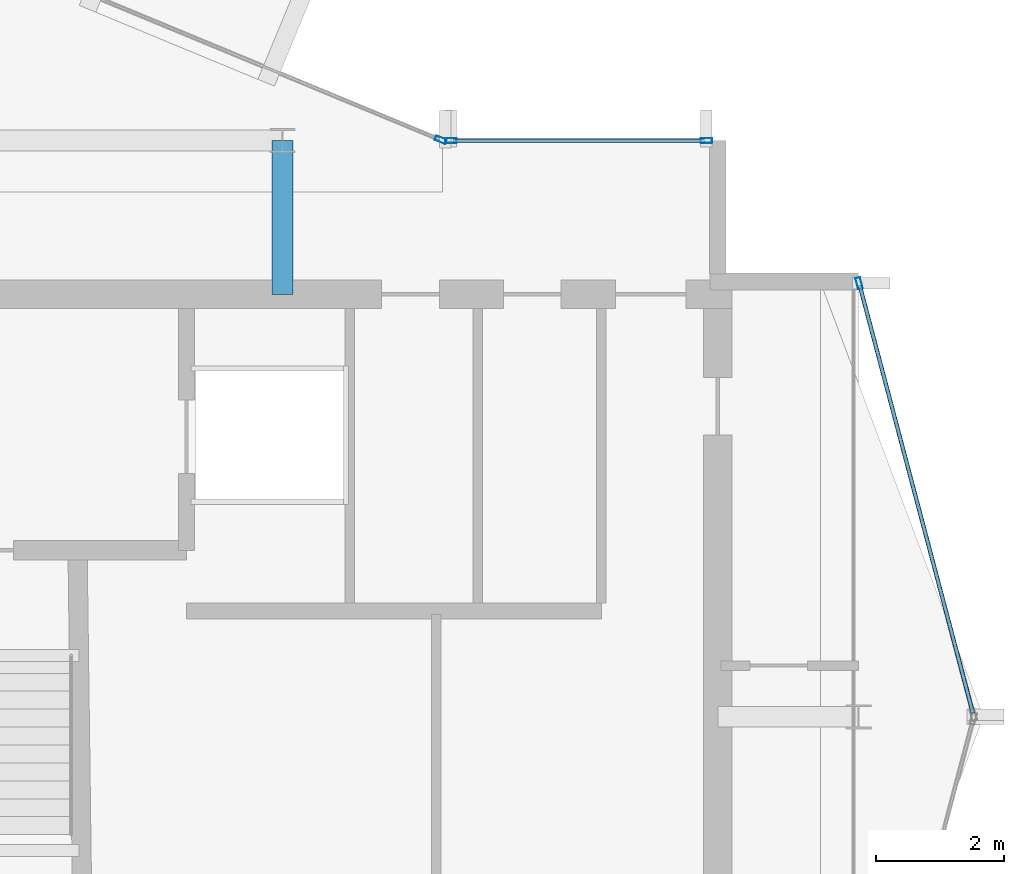
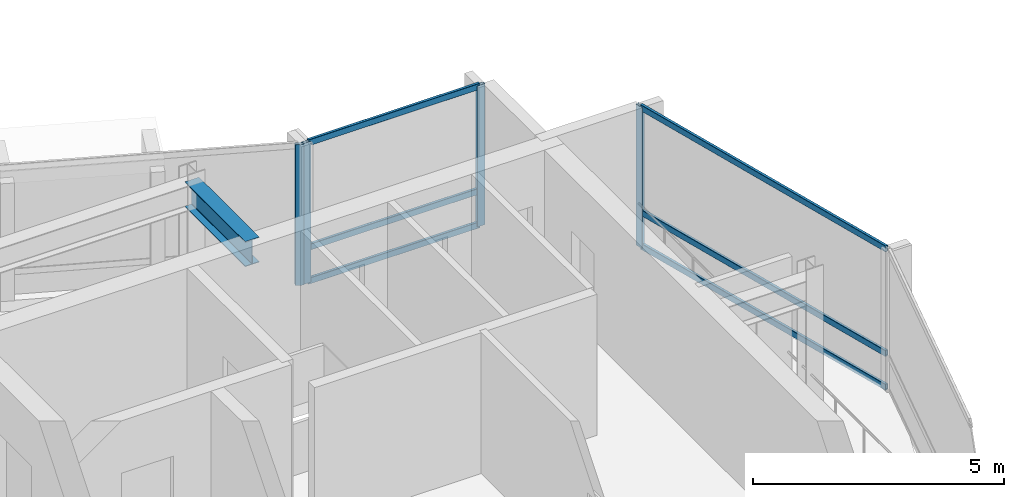
# One storey, part 10 of 19: 10 members, 1 beam, 3 elements without a shape of their own.
"""IFC4 building model written with IfcOpenShell, lengths in metres."""

from ifc_helpers import new_model, si_unit, direction, frame, origin, origin_2d, place, context, subcontext, project, spatial, hollow_rectangle, i_section, extrude, material, layer, layer_set, material_profile, profile_set, type_object, element, aggregate, save


model = new_model("IFC4")

# Units and contexts
model_context = context("Model", 3, precision=1e-05, world=origin(), true_north=direction((0.0, 1.0)))
body_context = subcontext(model_context, "Body", "Model", "MODEL_VIEW")
ifc_project = project(units=[si_unit("LENGTHUNIT", "METRE"), si_unit("AREAUNIT", "SQUARE_METRE"), si_unit("VOLUMEUNIT", "CUBIC_METRE"), si_unit("PLANEANGLEUNIT", "RADIAN"), si_unit("MASSUNIT", "GRAM", prefix="KILO")], contexts=[model_context])

# Site, building, storey
site_placement = place(None, origin())
site = spatial("IfcSite", under=ifc_project, at=site_placement, CompositionType="ELEMENT")
building_placement = place(site_placement, origin())
building = spatial("IfcBuilding", under=site, at=building_placement, Name="Solvaryn Broadcast Tower", CompositionType="ELEMENT")
storey_placement = place(building_placement, frame((0.0, 0.0, 266.699951171875)))
storey = spatial("IfcBuildingStorey", under=building, at=storey_placement, Name="L67", CompositionType="ELEMENT", Elevation=266.699951171875)

# Beam
ifc_material_1 = material(Name="Steel ASTM A992 Grade 50", Category="steel")
ifc_material_profile_1 = material_profile(ifc_material_1, i_section(OverallWidth=0.323974609375, OverallDepth=0.611083984375, WebThickness=0.0126953125, FlangeThickness=0.01904296875, FilletRadius=0.014892578125, at=origin_2d()))
ifc_profile_set_1 = profile_set([ifc_material_profile_1], Name="Steel ASTM A992 Grade 50")
beam_type = type_object("IfcBeamType", Name="BM-B1-W24X104", PredefinedType="BEAM", material=ifc_profile_set_1)
beam_placement = place(storey_placement, frame((36.0, 24.60009765625, 3.114501953125), z_axis=(0.0, 1.0, 0.0), x_axis=(-1.0, 0.0, 0.0)))
element("IfcBeam", 1, at=beam_placement, inside=storey, type_object=beam_type, Name="L67 Core Tie Beam CTE2", PredefinedType="BEAM", context=body_context, shape_type="SweptSolid", body=[
    extrude(i_section(OverallWidth=0.323974609375, OverallDepth=0.611083984375, WebThickness=0.0126953125, FlangeThickness=0.01904296875, FilletRadius=0.014892578125, at=origin_2d()), origin(), (0.0, 0.0, 1.0), 2.39990234375),
])

# Curtain wall, member
ifc_material_2 = material(Name="Aluminium and Terracotta Unitised Curtain Wall", Category="masonry")
ifc_layer = layer(ifc_material_2, 0.199951171875)
ifc_layer_set = layer_set([ifc_layer], Name="CW-SYS2-LOWMID")
curtain_wall_type = type_object("IfcCurtainWallType", Name="CW-SYS2-LOWMID", PredefinedType="NOTDEFINED", material=ifc_layer_set)
curtain_wall_1_placement = place(storey_placement, origin())
curtain_wall_1 = element("IfcCurtainWall", 2, at=curtain_wall_1_placement, inside=storey, type_object=curtain_wall_type, Name="L67 Curtain Wall CN1", PredefinedType="NOTDEFINED")
ifc_material_3 = material(Name="Anodised Aluminium 6063-T6", Category="aluminium")
ifc_material_profile_2 = material_profile(ifc_material_3, hollow_rectangle(XDim=0.074951171875, YDim=0.179931640625, WallThickness=0.00390625, InnerFilletRadius=0.00390625, OuterFilletRadius=0.008056640625, at=origin_2d()))
ifc_profile_set_2 = profile_set([ifc_material_profile_2], Name="Anodised Aluminium 6063-T6")
member_type_1 = type_object("IfcMemberType", Name="CW-MUL-180", PredefinedType="MULLION", material=ifc_profile_set_2)
member_1_placement = place(storey_placement, frame((38.47216796875, 27.011474609375, 0.0), z_axis=(0.0, 0.0, 1.0), x_axis=(-0.382646127145, -0.923894983957, 0.0)))
member_1 = element("IfcMember", 3, at=member_1_placement, type_object=member_type_1, Name="CWS2 mullion 1", PredefinedType="MULLION", context=body_context, shape_type="SweptSolid", body=[
    extrude(hollow_rectangle(XDim=0.074951171875, YDim=0.179931640625, WallThickness=0.00390625, InnerFilletRadius=0.00390625, OuterFilletRadius=0.008056640625, at=origin_2d()), origin(), (0.0, 0.0, 1.0), 3.420166015625),
])
aggregate(curtain_wall_1, [member_1])

curtain_wall_2_placement = place(storey_placement, origin())
curtain_wall_2 = element("IfcCurtainWall", 4, at=curtain_wall_2_placement, inside=storey, type_object=curtain_wall_type, Name="L67 Curtain Wall ET1", PredefinedType="NOTDEFINED")
member_2_placement = place(storey_placement, frame((45.007568359375, 24.77099609375, 0.0), z_axis=(0.0, 0.0, 1.0), x_axis=(0.966705227863, 0.25589256031, 0.0)))
member_2 = element("IfcMember", 5, at=member_2_placement, type_object=member_type_1, Name="CWS2 mullion 1", PredefinedType="MULLION", context=body_context, shape_type="SweptSolid", body=[
    extrude(hollow_rectangle(XDim=0.074951171875, YDim=0.179931640625, WallThickness=0.00390625, InnerFilletRadius=0.00390625, OuterFilletRadius=0.008056640625, at=origin_2d()), origin(), (0.0, 0.0, 1.0), 3.420166015625),
])

# Curtain wall, members
curtain_wall_3_placement = place(storey_placement, origin())
curtain_wall_3 = element("IfcCurtainWall", 6, at=curtain_wall_3_placement, inside=storey, type_object=curtain_wall_type, Name="L67 Curtain Wall IH", PredefinedType="NOTDEFINED")
member_3_placement = place(storey_placement, frame((38.6298828125, 27.0, 0.0), z_axis=(0.0, 0.0, 1.0), x_axis=(0.0, 1.0, 0.0)))
member_3 = element("IfcMember", 7, at=member_3_placement, type_object=member_type_1, Name="CWS2 mullion 1", PredefinedType="MULLION", context=body_context, shape_type="SweptSolid", body=[
    extrude(hollow_rectangle(XDim=0.074951171875, YDim=0.179931640625, WallThickness=0.00390625, InnerFilletRadius=0.00390625, OuterFilletRadius=0.008056640625, at=origin_2d()), origin(), (0.0, 0.0, 1.0), 3.420166015625),
])
member_4_placement = place(storey_placement, frame((42.6201171875, 27.0, 0.0), z_axis=(0.0, 0.0, 1.0), x_axis=(0.0, 1.0, 0.0)))
member_4 = element("IfcMember", 8, at=member_4_placement, type_object=member_type_1, Name="CWS2 mullion 2", PredefinedType="MULLION", context=body_context, shape_type="SweptSolid", body=[
    extrude(hollow_rectangle(XDim=0.074951171875, YDim=0.179931640625, WallThickness=0.00390625, InnerFilletRadius=0.00390625, OuterFilletRadius=0.008056640625, at=origin_2d()), origin(), (0.0, 0.0, 1.0), 3.420166015625),
])

# Member
ifc_material_4 = material(Name="Anodised Aluminium 6063-T6", Category="aluminium")
ifc_material_profile_3 = material_profile(ifc_material_4, hollow_rectangle(XDim=0.06494140625, YDim=0.14990234375, WallThickness=0.00390625, InnerFilletRadius=0.00390625, OuterFilletRadius=0.008056640625, at=origin_2d()))
ifc_profile_set_3 = profile_set([ifc_material_profile_3], Name="Anodised Aluminium 6063-T6")
member_type_2 = type_object("IfcMemberType", Name="CW-TRN-150", PredefinedType="USERDEFINED", material=ifc_profile_set_3)
member_5_placement = place(storey_placement, frame((45.015380859375, 24.741943359375, 0.030029296875), z_axis=(0.255897413051, -0.966703943301, 0.0), x_axis=(0.966703943301, 0.255897413051, 0.0)))
member_5 = element("IfcMember", 9, at=member_5_placement, type_object=member_type_2, Name="CWS2 transom 1.1", ObjectType="TRANSOM", PredefinedType="USERDEFINED", context=body_context, shape_type="SweptSolid", body=[
    extrude(hollow_rectangle(XDim=0.06494140625, YDim=0.14990234375, WallThickness=0.00390625, InnerFilletRadius=0.00390625, OuterFilletRadius=0.008056640625, at=origin_2d()), origin(), (0.0, 0.0, 1.0), 6.9140625),
])

member_6_placement = place(storey_placement, frame((45.015380859375, 24.741943359375, 0.85009765625), z_axis=(0.255897413051, -0.966703943301, 0.0), x_axis=(0.966703943301, 0.255897413051, 0.0)))
member_6 = element("IfcMember", 10, at=member_6_placement, type_object=member_type_2, Name="CWS2 transom 1.2", ObjectType="TRANSOM", PredefinedType="USERDEFINED", context=body_context, shape_type="SweptSolid", body=[
    extrude(hollow_rectangle(XDim=0.06494140625, YDim=0.14990234375, WallThickness=0.00390625, InnerFilletRadius=0.00390625, OuterFilletRadius=0.008056640625, at=origin_2d()), origin(), (0.0, 0.0, 1.0), 6.9140625),
])

member_7_placement = place(storey_placement, frame((45.015380859375, 24.741943359375, 3.39013671875), z_axis=(0.255897413051, -0.966703943301, 0.0), x_axis=(0.966703943301, 0.255897413051, 0.0)))
member_7 = element("IfcMember", 11, at=member_7_placement, type_object=member_type_2, Name="CWS2 transom 1.3", ObjectType="TRANSOM", PredefinedType="USERDEFINED", context=body_context, shape_type="SweptSolid", body=[
    extrude(hollow_rectangle(XDim=0.06494140625, YDim=0.14990234375, WallThickness=0.00390625, InnerFilletRadius=0.00390625, OuterFilletRadius=0.008056640625, at=origin_2d()), origin(), (0.0, 0.0, 1.0), 6.9140625),
])

aggregate(curtain_wall_2, [member_2, member_5, member_6, member_7])

member_8_placement = place(storey_placement, frame((38.659912109375, 27.0, 0.030029296875), z_axis=(1.0, 0.0, 0.0), x_axis=(0.0, 1.0, 0.0)))
member_8 = element("IfcMember", 12, at=member_8_placement, type_object=member_type_2, Name="CWS2 transom 1.1", ObjectType="TRANSOM", PredefinedType="USERDEFINED", context=body_context, shape_type="SweptSolid", body=[
    extrude(hollow_rectangle(XDim=0.06494140625, YDim=0.14990234375, WallThickness=0.00390625, InnerFilletRadius=0.00390625, OuterFilletRadius=0.008056640625, at=origin_2d()), origin(), (0.0, 0.0, 1.0), 3.93017578125),
])

member_9_placement = place(storey_placement, frame((38.659912109375, 27.0, 0.85009765625), z_axis=(1.0, 0.0, 0.0), x_axis=(0.0, 1.0, 0.0)))
member_9 = element("IfcMember", 13, at=member_9_placement, type_object=member_type_2, Name="CWS2 transom 1.2", ObjectType="TRANSOM", PredefinedType="USERDEFINED", context=body_context, shape_type="SweptSolid", body=[
    extrude(hollow_rectangle(XDim=0.06494140625, YDim=0.14990234375, WallThickness=0.00390625, InnerFilletRadius=0.00390625, OuterFilletRadius=0.008056640625, at=origin_2d()), origin(), (0.0, 0.0, 1.0), 3.93017578125),
])

member_10_placement = place(storey_placement, frame((38.659912109375, 27.0, 3.39013671875), z_axis=(1.0, 0.0, 0.0), x_axis=(0.0, 1.0, 0.0)))
member_10 = element("IfcMember", 14, at=member_10_placement, type_object=member_type_2, Name="CWS2 transom 1.3", ObjectType="TRANSOM", PredefinedType="USERDEFINED", context=body_context, shape_type="SweptSolid", body=[
    extrude(hollow_rectangle(XDim=0.06494140625, YDim=0.14990234375, WallThickness=0.00390625, InnerFilletRadius=0.00390625, OuterFilletRadius=0.008056640625, at=origin_2d()), origin(), (0.0, 0.0, 1.0), 3.93017578125),
])

aggregate(curtain_wall_3, [member_3, member_4, member_8, member_9, member_10])

save(model, "model.ifc")
